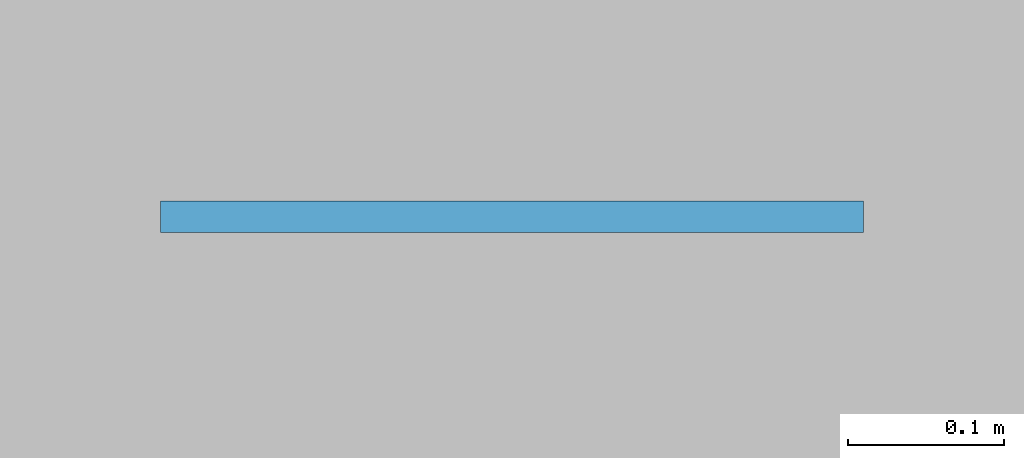
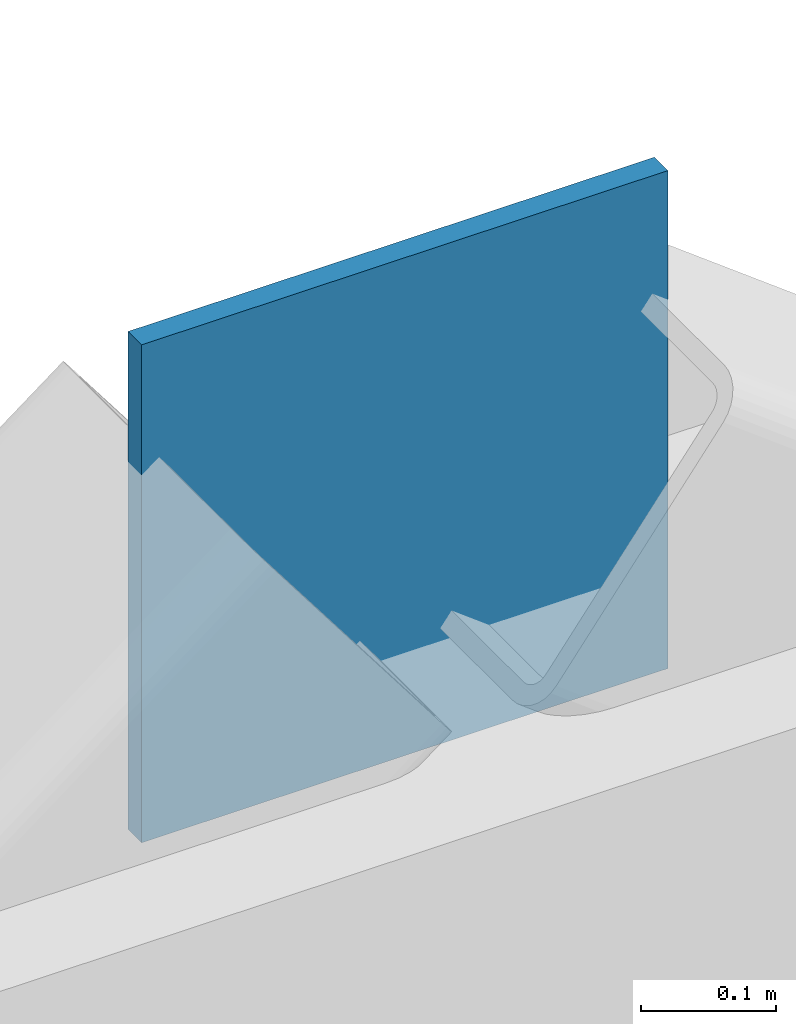
# One storey, part 80 of 100: 1 plate.
"""IFC4 building model written with IfcOpenShell, lengths in metres."""

from ifc_helpers import new_model, si_unit, direction, frame, origin, origin_2d, place, context, subcontext, project, spatial, rectangle, extrude, material, layer, layer_set, type_object, element, save


model = new_model("IFC4")

# Units and contexts
model_context = context("Model", 3, precision=1e-05, world=origin(), true_north=direction((0.0, 1.0)))
body_context = subcontext(model_context, "Body", "Model", "MODEL_VIEW")
ifc_project = project(units=[si_unit("LENGTHUNIT", "METRE"), si_unit("AREAUNIT", "SQUARE_METRE"), si_unit("VOLUMEUNIT", "CUBIC_METRE"), si_unit("PLANEANGLEUNIT", "RADIAN"), si_unit("MASSUNIT", "GRAM", prefix="KILO")], contexts=[model_context])

# Site, building, storey
site_placement = place(None, origin())
site = spatial("IfcSite", under=ifc_project, at=site_placement, CompositionType="ELEMENT")
building_placement = place(site_placement, origin())
building = spatial("IfcBuilding", under=site, at=building_placement, Name="Tasgan Crest Museum", CompositionType="ELEMENT")
storey_placement = place(building_placement, frame((0.0, 0.0, 9.60009765625)))
storey = spatial("IfcBuildingStorey", under=building, at=storey_placement, Name="L02", CompositionType="ELEMENT", Elevation=9.60009765625)

# Plate
ifc_material = material(Name="Steel S355K2", Category="steel")
ifc_layer = layer(ifc_material, 0.02001953125, Name="PL-GUSSET-450")
ifc_layer_set = layer_set([ifc_layer], Name="Steel S355K2")
plate_type = type_object("IfcPlateType", Name="PL-GUSSET-450", PredefinedType="USERDEFINED", material=ifc_layer_set)
plate_placement = place(storey_placement, frame((27.0, 112.0, 4.02490234375), z_axis=(0.0, 0.0, 1.0), x_axis=(1.0, 0.0, 0.0)))
element("IfcPlate", 1, at=plate_placement, inside=storey, type_object=plate_type, Name="Chevron gusset plate L02 M 27.0", ObjectType="GUSSET PLATE", PredefinedType="USERDEFINED", context=body_context, shape_type="SweptSolid", body=[
    extrude(rectangle(XDim=0.449951171875, YDim=0.02001953125, at=origin_2d()), origin(), (0.0, 0.0, 1.0), 0.449951171875),
])

save(model, "model.ifc")
